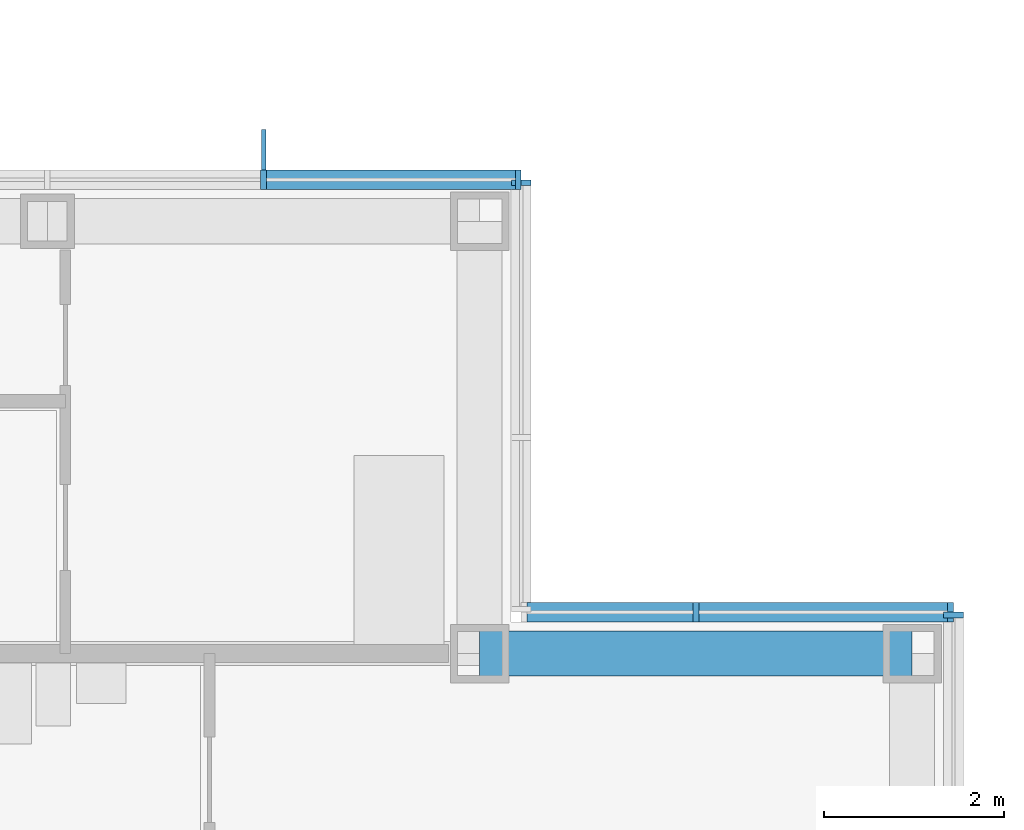
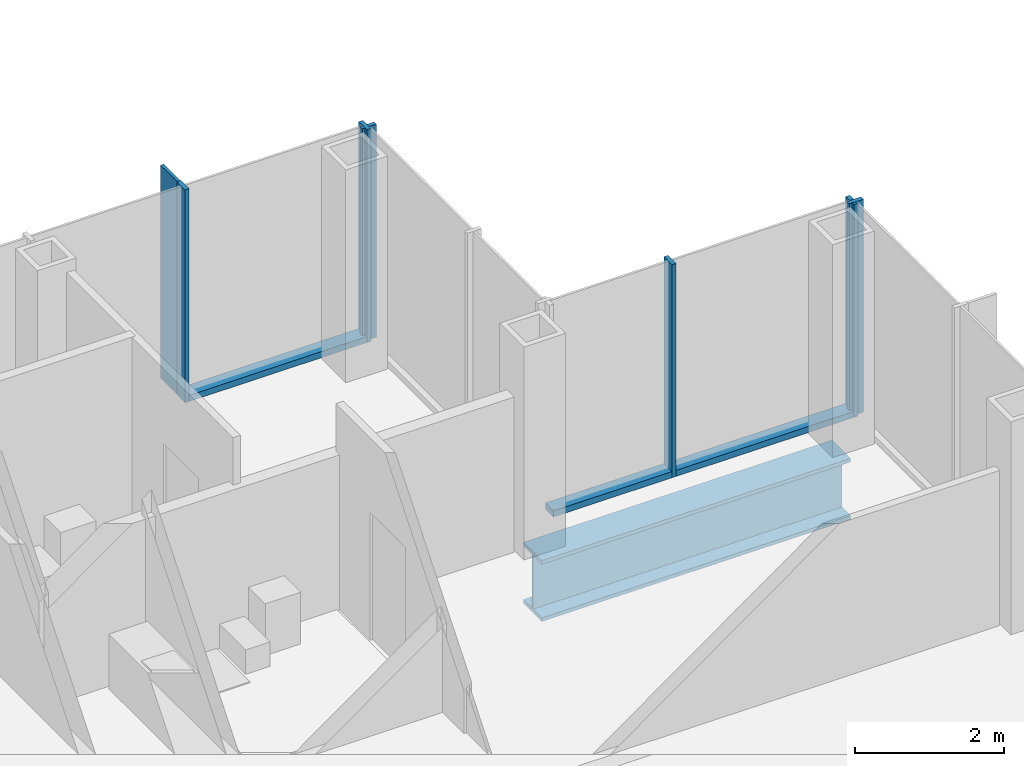
# One storey, part 9 of 20: 10 members, 1 beam, 4 elements without a shape of their own.
"""IFC4 building model written with IfcOpenShell, lengths in metres."""

from ifc_helpers import new_model, si_unit, direction, frame, origin, origin_2d, place, context, subcontext, project, spatial, rectangle, i_section, extrude, material, material_profile, profile_set, type_object, element, aggregate, save


model = new_model("IFC4")

# Units and contexts
model_context = context("Model", 3, precision=1e-05, world=origin(), true_north=direction((0.0, 1.0)))
body_context = subcontext(model_context, "Body", "Model", "MODEL_VIEW")
ifc_project = project(units=[si_unit("LENGTHUNIT", "METRE"), si_unit("AREAUNIT", "SQUARE_METRE"), si_unit("VOLUMEUNIT", "CUBIC_METRE"), si_unit("PLANEANGLEUNIT", "RADIAN"), si_unit("MASSUNIT", "GRAM", prefix="KILO")], contexts=[model_context])

# Site, building, storey
site_placement = place(None, origin())
site = spatial("IfcSite", under=ifc_project, at=site_placement, CompositionType="ELEMENT")
building_placement = place(site_placement, origin())
building = spatial("IfcBuilding", under=site, at=building_placement, Name="Kvirike Care Tower", CompositionType="ELEMENT")
storey_placement = place(building_placement, frame((0.0, 0.0, 101.5)))
storey = spatial("IfcBuildingStorey", under=building, at=storey_placement, Name="L27", CompositionType="ELEMENT", Elevation=101.5)

# Curtain wall, member
ifc_material_1 = material(Name="Anodised aluminium stick system", Category="aluminium")
curtain_wall_type = type_object("IfcCurtainWallType", Name="CW-B STICK CURTAIN WALL", PredefinedType="NOTDEFINED", material=ifc_material_1)
curtain_wall_1_placement = place(storey_placement, origin())
curtain_wall_1 = element("IfcCurtainWall", 1, at=curtain_wall_1_placement, inside=storey, type_object=curtain_wall_type, Name="Curtain wall L27 face 4", PredefinedType="NOTDEFINED")
ifc_material_2 = material(Name="Bronze anodised aluminium fin", Category="aluminium")
ifc_material_profile_1 = material_profile(ifc_material_2, rectangle(XDim=0.050048828125, YDim=0.449951171875, at=origin_2d()), Name="BRONZE FIN 450")
ifc_profile_set_1 = profile_set([ifc_material_profile_1], Name="Bronze anodised aluminium fin")
member_type_1 = type_object("IfcMemberType", Name="BRONZE FIN 450", PredefinedType="USERDEFINED", material=ifc_profile_set_1)
member_1_placement = place(storey_placement, frame((36.0, 43.9951171875, 0.0), z_axis=(0.0, 0.0, 1.0), x_axis=(-1.0, 0.0, 0.0)))
member_1 = element("IfcMember", 2, at=member_1_placement, type_object=member_type_1, Name="Bronze fin L27 face 4.2", ObjectType="FIN", PredefinedType="USERDEFINED", context=body_context, shape_type="SweptSolid", body=[
    extrude(rectangle(XDim=0.050048828125, YDim=0.449951171875, at=origin_2d()), origin(), (0.0, 0.0, 1.0), 3.5),
])

curtain_wall_2_placement = place(storey_placement, origin())
curtain_wall_2 = element("IfcCurtainWall", 3, at=curtain_wall_2_placement, inside=storey, type_object=curtain_wall_type, Name="Curtain wall L27 face 1", PredefinedType="NOTDEFINED")
ifc_material_3 = material(Name="Bronze anodised aluminium mullion", Category="aluminium")
ifc_material_profile_2 = material_profile(ifc_material_3, rectangle(XDim=0.06494140625, YDim=0.219970703125, at=origin_2d()), Name="CW-B MULLION 65x220")
ifc_profile_set_2 = profile_set([ifc_material_profile_2], Name="Bronze anodised aluminium mullion")
member_type_2 = type_object("IfcMemberType", Name="CW-B MULLION 65x220", PredefinedType="MULLION", material=ifc_profile_set_2)
member_2_placement = place(storey_placement, frame((43.659912109375, 38.827392578125, 0.0), z_axis=(0.0, 0.0, 1.0), x_axis=(0.0, 1.0, 0.0)))
member_2 = element("IfcMember", 4, at=member_2_placement, type_object=member_type_2, Name="CW-B mullion L27 face 1.9", PredefinedType="MULLION", context=body_context, shape_type="SweptSolid", body=[
    extrude(rectangle(XDim=0.06494140625, YDim=0.219970703125, at=origin_2d()), origin(), (0.0, 0.0, 1.0), 3.5),
])
aggregate(curtain_wall_2, [member_2])

# Curtain wall, members
curtain_wall_3_placement = place(storey_placement, origin())
curtain_wall_3 = element("IfcCurtainWall", 5, at=curtain_wall_3_placement, inside=storey, type_object=curtain_wall_type, Name="Curtain wall L27 face 2", PredefinedType="NOTDEFINED")
member_3_placement = place(storey_placement, frame((43.62744140625, 38.860107421875, 0.0), z_axis=(0.0, 0.0, 1.0), x_axis=(-1.0, 0.0, 0.0)))
member_3 = element("IfcMember", 6, at=member_3_placement, type_object=member_type_2, Name="CW-B mullion L27 face 2.1", PredefinedType="MULLION", context=body_context, shape_type="SweptSolid", body=[
    extrude(rectangle(XDim=0.06494140625, YDim=0.219970703125, at=origin_2d()), origin(), (0.0, 0.0, 1.0), 3.5),
])
member_4_placement = place(storey_placement, frame((40.800048828125, 38.860107421875, 0.0), z_axis=(0.0, 0.0, 1.0), x_axis=(-1.0, 0.0, 0.0)))
member_4 = element("IfcMember", 7, at=member_4_placement, type_object=member_type_2, Name="CW-B mullion L27 face 2.2", PredefinedType="MULLION", context=body_context, shape_type="SweptSolid", body=[
    extrude(rectangle(XDim=0.06494140625, YDim=0.219970703125, at=origin_2d()), origin(), (0.0, 0.0, 1.0), 3.5),
])

# Curtain wall, member
curtain_wall_4_placement = place(storey_placement, origin())
curtain_wall_4 = element("IfcCurtainWall", 8, at=curtain_wall_4_placement, inside=storey, type_object=curtain_wall_type, Name="Curtain wall L27 face 3", PredefinedType="NOTDEFINED")
member_5_placement = place(storey_placement, frame((38.860107421875, 43.62744140625, 0.0), z_axis=(0.0, 0.0, 1.0), x_axis=(0.0, 1.0, 0.0)))
member_5 = element("IfcMember", 9, at=member_5_placement, type_object=member_type_2, Name="CW-B mullion L27 face 3.3", PredefinedType="MULLION", context=body_context, shape_type="SweptSolid", body=[
    extrude(rectangle(XDim=0.06494140625, YDim=0.219970703125, at=origin_2d()), origin(), (0.0, 0.0, 1.0), 3.5),
])
aggregate(curtain_wall_4, [member_5])

# Member
member_6_placement = place(storey_placement, frame((38.827392578125, 43.659912109375, 0.0), z_axis=(0.0, 0.0, 1.0), x_axis=(-1.0, 0.0, 0.0)))
member_6 = element("IfcMember", 10, at=member_6_placement, type_object=member_type_2, Name="CW-B mullion L27 face 4.1", PredefinedType="MULLION", context=body_context, shape_type="SweptSolid", body=[
    extrude(rectangle(XDim=0.06494140625, YDim=0.219970703125, at=origin_2d()), origin(), (0.0, 0.0, 1.0), 3.5),
])

member_7_placement = place(storey_placement, frame((36.0, 43.659912109375, 0.0), z_axis=(0.0, 0.0, 1.0), x_axis=(-1.0, 0.0, 0.0)))
member_7 = element("IfcMember", 11, at=member_7_placement, type_object=member_type_2, Name="CW-B mullion L27 face 4.2", PredefinedType="MULLION", context=body_context, shape_type="SweptSolid", body=[
    extrude(rectangle(XDim=0.06494140625, YDim=0.219970703125, at=origin_2d()), origin(), (0.0, 0.0, 1.0), 3.5),
])

ifc_material_4 = material(Name="Bronze anodised aluminium transom", Category="aluminium")
ifc_material_profile_3 = material_profile(ifc_material_4, rectangle(XDim=0.219970703125, YDim=0.10009765625, at=origin_2d()), Name="CW-B TRANSOM 220x100")
ifc_profile_set_3 = profile_set([ifc_material_profile_3], Name="Bronze anodised aluminium transom")
member_type_3 = type_object("IfcMemberType", Name="CW-B TRANSOM 220x100", PredefinedType="USERDEFINED", material=ifc_profile_set_3)
member_8_placement = place(storey_placement, frame((43.594970703125, 38.860107421875, 0.050048828125), z_axis=(-1.0, 0.0, 0.0), x_axis=(0.0, -1.0, 0.0)))
member_8 = element("IfcMember", 12, at=member_8_placement, type_object=member_type_3, Name="CW-B sill transom L27 face 2.1", ObjectType="TRANSOM", PredefinedType="USERDEFINED", context=body_context, shape_type="SweptSolid", body=[
    extrude(rectangle(XDim=0.219970703125, YDim=0.10009765625, at=origin_2d()), origin(), (0.0, 0.0, 1.0), 2.762451171875),
])

member_9_placement = place(storey_placement, frame((40.767578125, 38.860107421875, 0.050048828125), z_axis=(-1.0, 0.0, 0.0), x_axis=(0.0, -1.0, 0.0)))
member_9 = element("IfcMember", 13, at=member_9_placement, type_object=member_type_3, Name="CW-B sill transom L27 face 2.2", ObjectType="TRANSOM", PredefinedType="USERDEFINED", context=body_context, shape_type="SweptSolid", body=[
    extrude(rectangle(XDim=0.219970703125, YDim=0.10009765625, at=origin_2d()), origin(), (0.0, 0.0, 1.0), 1.842529296875),
])

aggregate(curtain_wall_3, [member_3, member_4, member_8, member_9])

member_10_placement = place(storey_placement, frame((38.794921875, 43.659912109375, 0.050048828125), z_axis=(-1.0, 0.0, 0.0), x_axis=(0.0, -1.0, 0.0)))
member_10 = element("IfcMember", 14, at=member_10_placement, type_object=member_type_3, Name="CW-B sill transom L27 face 4.1", ObjectType="TRANSOM", PredefinedType="USERDEFINED", context=body_context, shape_type="SweptSolid", body=[
    extrude(rectangle(XDim=0.219970703125, YDim=0.10009765625, at=origin_2d()), origin(), (0.0, 0.0, 1.0), 2.762451171875),
])

aggregate(curtain_wall_1, [member_6, member_7, member_1, member_10])

# Beam
ifc_material_5 = material(Name="Steel S355", Category="steel")
ifc_material_profile_4 = material_profile(ifc_material_5, i_section(OverallWidth=0.5, OverallDepth=1.0, WebThickness=0.030029296875, FlangeThickness=0.06005859375, at=origin_2d()), Name="PG 1000x500x30x60")
ifc_profile_set_4 = profile_set([ifc_material_profile_4], Name="Steel S355")
beam_type = type_object("IfcBeamType", Name="SPANDREL PG 1000x500x30x60", PredefinedType="SPANDREL", material=ifc_profile_set_4)
beam_placement = place(storey_placement, frame((38.39990234375, 38.39990234375, -0.669921875), z_axis=(1.0, 0.0, 0.0), x_axis=(0.0, 1.0, 0.0)))
element("IfcBeam", 15, at=beam_placement, inside=storey, type_object=beam_type, Name="Spandrel J11-J12 L27", PredefinedType="SPANDREL", context=body_context, shape_type="SweptSolid", body=[
    extrude(i_section(OverallWidth=0.5, OverallDepth=1.0, WebThickness=0.030029296875, FlangeThickness=0.06005859375, at=origin_2d()), origin(), (0.0, 0.0, 1.0), 4.800048828125),
])

save(model, "model.ifc")
